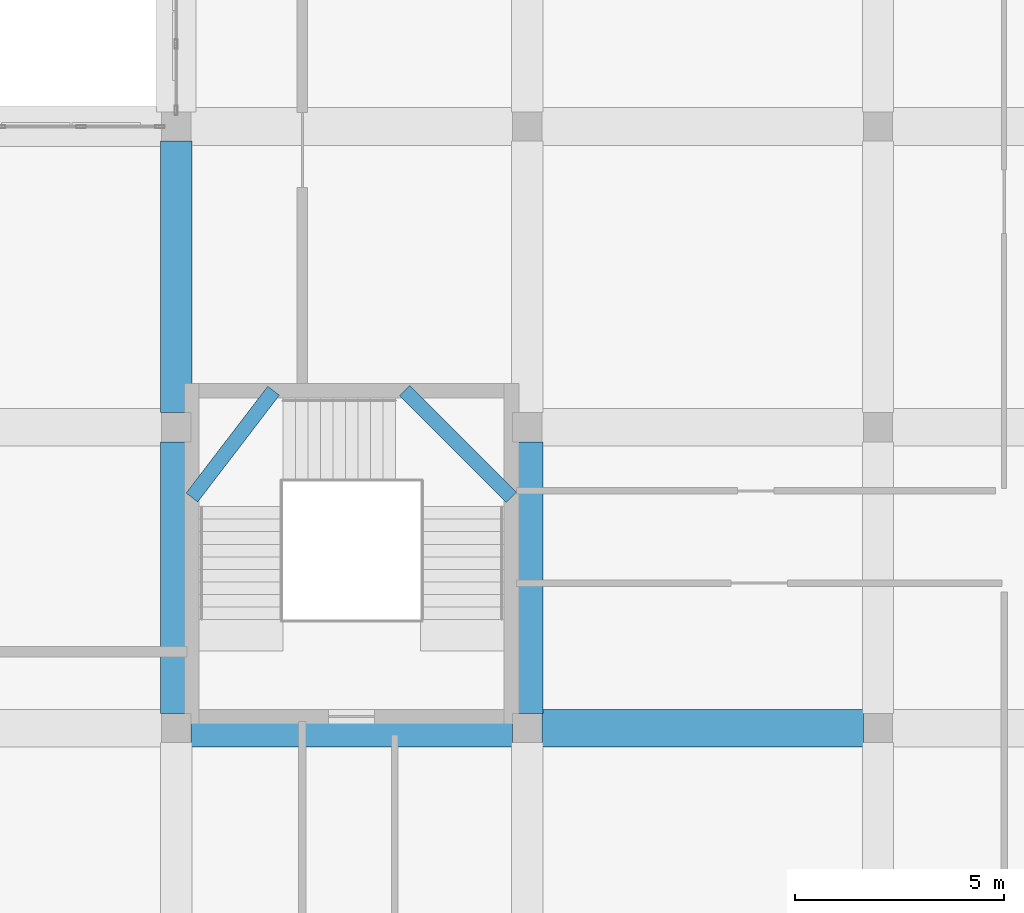
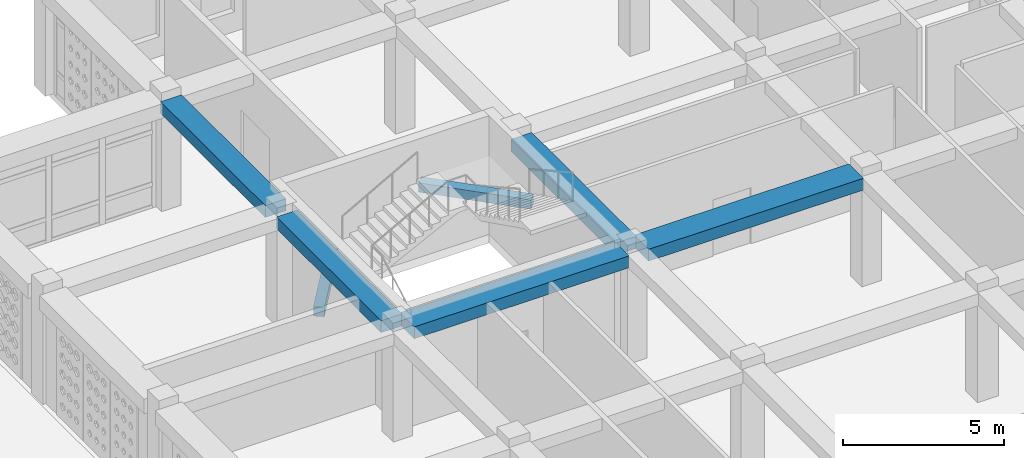
# One storey, part 25 of 100: 7 beams.
"""IFC4 building model written with IfcOpenShell, lengths in metres."""

from ifc_helpers import new_model, si_unit, derived_unit, direction, frame, origin, origin_2d, place, context, subcontext, project, spatial, rectangle, extrude, material, material_profile, profile_set, type_object, element, save


model = new_model("IFC4")

# Units and contexts
model_context = context("Model", 3, precision=1e-05, world=origin(), true_north=direction((0.0, 1.0)))
body_context = subcontext(model_context, "Body", "Model", "MODEL_VIEW")
ifc_project = project(units=[si_unit("LENGTHUNIT", "METRE"), si_unit("AREAUNIT", "SQUARE_METRE"), si_unit("VOLUMEUNIT", "CUBIC_METRE"), si_unit("PLANEANGLEUNIT", "RADIAN"), si_unit("MASSUNIT", "GRAM", prefix="KILO"), derived_unit("THERMALTRANSMITTANCEUNIT", [(si_unit("POWERUNIT", "WATT"), 1), (si_unit("LENGTHUNIT", "METRE"), -2), (si_unit("THERMODYNAMICTEMPERATUREUNIT", "KELVIN"), -1)])], contexts=[model_context])

# Site, building, storey
site_placement = place(None, origin())
site = spatial("IfcSite", under=ifc_project, at=site_placement, CompositionType="ELEMENT")
building_placement = place(site_placement, origin())
building = spatial("IfcBuilding", under=site, at=building_placement, Name="Veybourne Emporium", CompositionType="ELEMENT")
storey_placement = place(building_placement, frame((0.0, 0.0, 14.39990234375)))
storey = spatial("IfcBuildingStorey", under=building, at=storey_placement, Name="L03", CompositionType="ELEMENT", Elevation=14.39990234375)

# Beams
ifc_material = material(Name="Concrete C32/40", Category="concrete")
ifc_material_profile_1 = material_profile(ifc_material, rectangle(XDim=0.35009765625, YDim=0.35009765625, at=origin_2d()), Name="RC 350x350")
ifc_profile_set_1 = profile_set([ifc_material_profile_1], Name="Concrete C32/40")
beam_type_1 = type_object("IfcBeamType", Name="LandingBeam_LB-01", PredefinedType="BEAM", material=ifc_profile_set_1)
beam_1_placement = place(storey_placement, frame((17.175048828125, 70.320068359375, 1.125), z_axis=(0.607658538115, 0.79419840157, 0.0), x_axis=(-0.79419840157, 0.607658538115, 0.0)))
element("IfcBeam", 1, at=beam_1_placement, inside=storey, type_object=beam_type_1, Name="L03 ST-08 landing 1 support beam", PredefinedType="BEAM", context=body_context, shape_type="SweptSolid", body=[
    extrude(rectangle(XDim=0.35009765625, YDim=0.35009765625, at=origin_2d()), origin(), (0.0, 0.0, 1.0), 3.217041015625),
])
beam_2_placement = place(storey_placement, frame((22.27001953125, 72.875, 2.625), z_axis=(0.707106781187, -0.707106781187, 0.0), x_axis=(0.707106781187, 0.707106781187, 0.0)))
element("IfcBeam", 2, at=beam_2_placement, inside=storey, type_object=beam_type_1, Name="L03 ST-08 landing 2 support beam", PredefinedType="BEAM", context=body_context, shape_type="SweptSolid", body=[
    extrude(rectangle(XDim=0.35009765625, YDim=0.35009765625, at=origin_2d()), origin(), (0.0, 0.0, 1.0), 3.61328125),
])
ifc_material_profile_2 = material_profile(ifc_material, rectangle(XDim=0.89990234375, YDim=0.449951171875, at=origin_2d()), Name="RC 900x450")
ifc_profile_set_2 = profile_set([ifc_material_profile_2], Name="Concrete C32/40")
beam_type_2 = type_object("IfcBeamType", Name="RCBeam_BB-03", PredefinedType="BEAM", material=ifc_profile_set_2)
beam_3_placement = place(storey_placement, frame((17.14990234375, 64.800048828125, 3.955078125), z_axis=(1.0, 0.0, 0.0), x_axis=(0.0, 1.0, 0.0)))
element("IfcBeam", 3, at=beam_3_placement, inside=storey, type_object=beam_type_2, Name="L03 X-grid beam BB-03 (2,9)", PredefinedType="BEAM", context=body_context, shape_type="SweptSolid", body=[
    extrude(rectangle(XDim=0.89990234375, YDim=0.449951171875, at=origin_2d()), origin(), (0.0, 0.0, 1.0), 7.7001953125),
])
beam_4_placement = place(storey_placement, frame((25.550048828125, 64.800048828125, 3.955078125), z_axis=(1.0, 0.0, 0.0), x_axis=(0.0, 1.0, 0.0)))
element("IfcBeam", 4, at=beam_4_placement, inside=storey, type_object=beam_type_2, Name="L03 X-grid beam BB-03 (3,9)", PredefinedType="BEAM", context=body_context, shape_type="SweptSolid", body=[
    extrude(rectangle(XDim=0.89990234375, YDim=0.449951171875, at=origin_2d()), origin(), (0.0, 0.0, 1.0), 7.699951171875),
])
ifc_material_profile_3 = material_profile(ifc_material, rectangle(XDim=0.75, YDim=0.449951171875, at=origin_2d()), Name="RC 750x450")
ifc_profile_set_3 = profile_set([ifc_material_profile_3], Name="Concrete C32/40")
beam_type_3 = type_object("IfcBeamType", Name="RCBeam_BB-04", PredefinedType="BEAM", material=ifc_profile_set_3)
for number, where, z_axis, x_axis, name in (
    (5, (16.800048828125, 65.14990234375, 3.955078125), (0.0, 1.0, 0.0), (-1.0, 0.0, 0.0), "L03 Y-grid beam BB-04 (2,9)"),
    (6, (16.800048828125, 72.35009765625, 3.955078125), (0.0, 1.0, 0.0), (-1.0, 0.0, 0.0), "L03 Y-grid beam BB-04 (2,10)"),
    (7, (25.199951171875, 65.14990234375, 3.955078125), (0.0, 1.0, 0.0), (-1.0, 0.0, 0.0), "L03 Y-grid beam BB-04 (3,9)"),
):
    element("IfcBeam", number, at=place(storey_placement, frame(where, z_axis=z_axis, x_axis=x_axis)), inside=storey, type_object=beam_type_3, Name=name, PredefinedType="BEAM", context=body_context, shape_type="SweptSolid", body=[
        extrude(rectangle(XDim=0.75, YDim=0.449951171875, at=origin_2d()), origin(), (0.0, 0.0, 1.0), 6.5),
    ])

save(model, "model.ifc")
